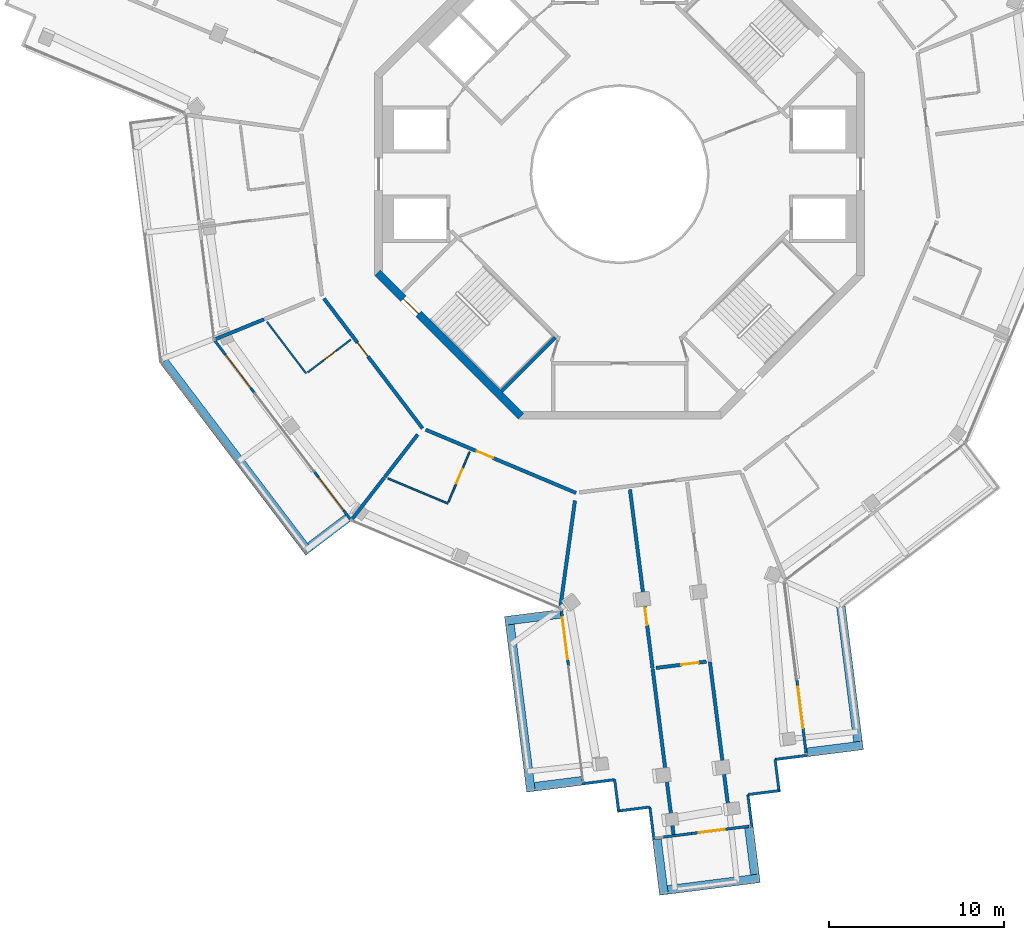
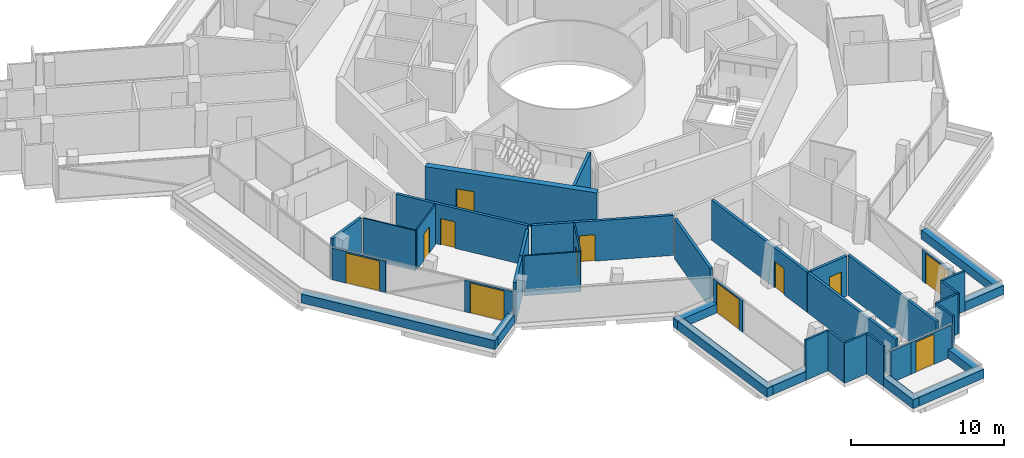
# One storey, part 18 of 26: 40 walls, 12 doors, 12 openings.
"""IFC4 building model written with IfcOpenShell, lengths in metres."""

from ifc_helpers import new_model, si_unit, direction, frame, frame_2d, origin, place, context, subcontext, project, spatial, rectangle, extrude, material, layer, layer_set, type_object, element, fill, save


model = new_model("IFC4")

# Units and contexts
model_context = context("Model", 3, precision=1e-05, world=origin(), true_north=direction((0.0, 1.0)))
body_context = subcontext(model_context, "Body", "Model", "MODEL_VIEW")
ifc_project = project(units=[si_unit("LENGTHUNIT", "METRE"), si_unit("AREAUNIT", "SQUARE_METRE"), si_unit("VOLUMEUNIT", "CUBIC_METRE"), si_unit("PLANEANGLEUNIT", "RADIAN"), si_unit("MASSUNIT", "GRAM", prefix="KILO")], contexts=[model_context])

# Site, building, storey
site_placement = place(None, origin())
site = spatial("IfcSite", under=ifc_project, at=site_placement, CompositionType="ELEMENT")
building_placement = place(site_placement, origin())
building = spatial("IfcBuilding", under=site, at=building_placement, Name="Verdalira Terraces Hotel", CompositionType="ELEMENT")
storey_placement = place(building_placement, frame((0.0, 0.0, 306.5)))
storey = spatial("IfcBuildingStorey", under=building, at=storey_placement, Name="L76", CompositionType="ELEMENT", Elevation=306.5)

# Walls
ifc_material_1 = material(Name="Concrete C40", Category="concrete")
ifc_layer_1 = layer(ifc_material_1, 0.5)
ifc_layer_set_1 = layer_set([ifc_layer_1], Name="Balcony planter trough with tree")
wall_type_1 = type_object("IfcWallType", Name="Balcony planter trough with tree", PredefinedType="SOLIDWALL", material=ifc_layer_set_1)
wall_1_placement = place(storey_placement, frame((-26.039551, -10.696533, 0.0), z_axis=(0.0, 0.0, 1.0), x_axis=(0.604595551, -0.796532623, 0.0)))
element("IfcWall", 1, at=wall_1_placement, inside=storey, type_object=wall_type_1, Name="Balcony planter", PredefinedType="SOLIDWALL", context=body_context, shape_type="SweptSolid", body=[
    extrude(rectangle(XDim=13.723389, YDim=0.5, at=frame_2d((6.861816, 0.0))), origin(), (0.0, 0.0, 1.0), 0.699951),
])
wall_2_placement = place(storey_placement, frame((-17.694336, -21.277344, 0.0), z_axis=(0.0, 0.0, 1.0), x_axis=(0.79653505, 0.604592354, 0.0)))
element("IfcWall", 2, at=wall_2_placement, inside=storey, type_object=wall_type_1, Name="Balcony planter", PredefinedType="SOLIDWALL", context=body_context, shape_type="SweptSolid", body=[
    extrude(rectangle(XDim=2.698975, YDim=0.5, at=frame_2d((1.349609, 0.0))), origin(), (0.0, 0.0, 1.0), 0.699951),
])
wall_3_placement = place(storey_placement, frame((-3.37793, -25.129883, 0.0), z_axis=(0.0, 0.0, 1.0), x_axis=(-0.992117376, -0.125312056, 0.0)))
element("IfcWall", 3, at=wall_3_placement, inside=storey, type_object=wall_type_1, Name="Balcony planter", PredefinedType="SOLIDWALL", context=body_context, shape_type="SweptSolid", body=[
    extrude(rectangle(XDim=3.198975, YDim=0.5, at=frame_2d((1.599609, 0.0))), origin(), (0.0, 0.0, 1.0), 0.699951),
])
wall_4_placement = place(storey_placement, frame((-6.272461, -25.747559, 0.0), z_axis=(0.0, 0.0, 1.0), x_axis=(0.125328117, -0.992115348, 0.0)))
element("IfcWall", 4, at=wall_4_placement, inside=storey, type_object=wall_type_1, Name="Balcony planter", PredefinedType="SOLIDWALL", context=body_context, shape_type="SweptSolid", body=[
    extrude(rectangle(XDim=9.617432, YDim=0.5, at=frame_2d((4.808594, 0.0))), origin(), (0.0, 0.0, 1.0), 0.699951),
])
wall_5_placement = place(storey_placement, frame((-4.850342, -35.009766, 0.0), z_axis=(0.0, 0.0, 1.0), x_axis=(0.992121231, 0.125281538, 0.0)))
element("IfcWall", 5, at=wall_5_placement, inside=storey, type_object=wall_type_1, Name="Balcony planter", PredefinedType="SOLIDWALL", context=body_context, shape_type="SweptSolid", body=[
    extrude(rectangle(XDim=2.698975, YDim=0.5, at=frame_2d((1.349609, 0.0))), origin(), (0.0, 0.0, 1.0), 0.699951),
])
wall_6_placement = place(storey_placement, frame((2.130615, -38.009521, 0.0), z_axis=(0.0, 0.0, 1.0), x_axis=(0.125312056, -0.992117376, 0.0)))
element("IfcWall", 6, at=wall_6_placement, inside=storey, type_object=wall_type_1, Name="Balcony planter", PredefinedType="SOLIDWALL", context=body_context, shape_type="SweptSolid", body=[
    extrude(rectangle(XDim=3.198975, YDim=0.5, at=frame_2d((1.599609, 0.0))), origin(), (0.0, 0.0, 1.0), 0.699951),
])
wall_7_placement = place(storey_placement, frame((2.748291, -40.904053, 0.0), z_axis=(0.0, 0.0, 1.0), x_axis=(0.992114026, 0.125338577, 0.0)))
element("IfcWall", 7, at=wall_7_placement, inside=storey, type_object=wall_type_1, Name="Balcony planter", PredefinedType="SOLIDWALL", context=body_context, shape_type="SweptSolid", body=[
    extrude(rectangle(XDim=5.300049, YDim=0.5, at=frame_2d((2.649902, 0.0))), origin(), (0.0, 0.0, 1.0), 0.699951),
])
wall_8_placement = place(storey_placement, frame((7.727051, -40.022949, 0.0), z_axis=(0.0, 0.0, 1.0), x_axis=(-0.125281538, 0.992121231, 0.0)))
element("IfcWall", 8, at=wall_8_placement, inside=storey, type_object=wall_type_1, Name="Balcony planter", PredefinedType="SOLIDWALL", context=body_context, shape_type="SweptSolid", body=[
    extrude(rectangle(XDim=2.698975, YDim=0.5, at=frame_2d((1.349609, 0.0))), origin(), (0.0, 0.0, 1.0), 0.699951),
])
wall_9_placement = place(storey_placement, frame((10.726807, -33.041992, 0.0), z_axis=(0.0, 0.0, 1.0), x_axis=(0.992117376, 0.125312056, 0.0)))
element("IfcWall", 9, at=wall_9_placement, inside=storey, type_object=wall_type_1, Name="Balcony planter", PredefinedType="SOLIDWALL", context=body_context, shape_type="SweptSolid", body=[
    extrude(rectangle(XDim=3.198975, YDim=0.5, at=frame_2d((1.599609, 0.0))), origin(), (0.0, 0.0, 1.0), 0.699951),
])
wall_10_placement = place(storey_placement, frame((13.621338, -32.424316, 0.0), z_axis=(0.0, 0.0, 1.0), x_axis=(-0.125337869, 0.992114116, 0.0)))
element("IfcWall", 10, at=wall_10_placement, inside=storey, type_object=wall_type_1, Name="Balcony planter", PredefinedType="SOLIDWALL", context=body_context, shape_type="SweptSolid", body=[
    extrude(rectangle(XDim=7.77002, YDim=0.5, at=frame_2d((3.88501, 0.0))), origin(), (0.0, 0.0, 1.0), 0.699951),
])
ifc_material_2 = material(Name="Moisture-resistant gypsum board partition")
ifc_layer_2 = layer(ifc_material_2, 0.10009765625)
ifc_layer_set_2 = layer_set([ifc_layer_2], Name="Bathroom partition 100 mm")
wall_type_2 = type_object("IfcWallType", Name="Bathroom partition 100 mm", PredefinedType="PARTITIONING", material=ifc_layer_set_2)
wall_11_placement = place(storey_placement, frame((-17.91626, -11.391602, 0.0), z_axis=(0.0, 0.0, 1.0), x_axis=(-0.604630261, 0.796506276, 0.0)))
element("IfcWall", 11, at=wall_11_placement, inside=storey, type_object=wall_type_2, Name="Bathroom partition", PredefinedType="PARTITIONING", context=body_context, shape_type="SweptSolid", body=[
    extrude(rectangle(XDim=3.703857, YDim=0.100098, at=frame_2d((1.852051, 0.0))), origin(), (0.0, 0.0, 1.0), 3.189941),
])

# Wall, opening, door
wall_12_placement = place(storey_placement, frame((-17.83667, -11.331299, 0.0), z_axis=(0.0, 0.0, 1.0), x_axis=(0.796527788, 0.604601921, 0.0)))
wall_12 = element("IfcWall", 12, at=wall_12_placement, inside=storey, type_object=wall_type_2, Name="Bathroom partition", PredefinedType="PARTITIONING", context=body_context, shape_type="SweptSolid", body=[
    extrude(rectangle(XDim=3.100098, YDim=0.100098, at=frame_2d((1.550049, 0.0))), origin(), (0.0, 0.0, 1.0), 3.189941),
])
opening_1_placement = place(wall_12_placement, frame((1.149902, 0.0, 0.0)))
opening_1 = element("IfcOpeningElement", 13, at=opening_1_placement, cuts=wall_12, Name="Opening L76-109", PredefinedType="OPENING", context=body_context, shape_type="SweptSolid", body=[
    extrude(rectangle(XDim=0.899902, YDim=2.100098, at=frame_2d((0.449951, 1.050049))), frame((0.0, 0.060059, 0.0), z_axis=(0.0, -1.0, 0.0), x_axis=(1.0, 0.0, 0.0)), (0.0, 0.0, 1.0), 0.120117),
])
ifc_material_3 = material(Name="Timber door", Category="wood")
door_type_1 = type_object("IfcDoorType", Name="Bathroom door 900 x 2100", OperationType="NOTDEFINED", PredefinedType="DOOR", material=ifc_material_3)
door_1_placement = place(opening_1_placement, origin())
door_1 = element("IfcDoor", 14, at=door_1_placement, inside=storey, type_object=door_type_1, Name="Bathroom door 7603", OperationType="SINGLE_SWING_LEFT", OverallHeight=2.10009765625, OverallWidth=0.89990234375, PredefinedType="DOOR", context=body_context, shape_type="SweptSolid", body=[
    extrude(rectangle(XDim=0.899902, YDim=2.100098, at=frame_2d((0.449951, 1.050049))), frame((0.0, 0.024902, 0.0), z_axis=(0.0, -1.0, 0.0), x_axis=(1.0, 0.0, 0.0)), (0.0, 0.0, 1.0), 0.050049),
])
fill(opening_1, door_1)

# Wall
wall_13_placement = place(storey_placement, frame((-9.820068, -18.82373, 0.0), z_axis=(0.0, 0.0, 1.0), x_axis=(-0.921867226, 0.387505893, 0.0)))
element("IfcWall", 15, at=wall_13_placement, inside=storey, type_object=wall_type_2, Name="Bathroom partition", PredefinedType="PARTITIONING", context=body_context, shape_type="SweptSolid", body=[
    extrude(rectangle(XDim=3.703857, YDim=0.100098, at=frame_2d((1.852051, 0.0))), origin(), (0.0, 0.0, 1.0), 3.189941),
])

# Wall, opening, door
wall_14_placement = place(storey_placement, frame((-9.781494, -18.731445, 0.0), z_axis=(0.0, 0.0, 1.0), x_axis=(0.3875605, 0.92184427, 0.0)))
wall_14 = element("IfcWall", 16, at=wall_14_placement, inside=storey, type_object=wall_type_2, Name="Bathroom partition", PredefinedType="PARTITIONING", context=body_context, shape_type="SweptSolid", body=[
    extrude(rectangle(XDim=3.099854, YDim=0.100098, at=frame_2d((1.549805, 0.0))), origin(), (0.0, 0.0, 1.0), 3.189941),
])
opening_2_placement = place(wall_14_placement, frame((1.149902, 0.0, 0.0)))
opening_2 = element("IfcOpeningElement", 17, at=opening_2_placement, cuts=wall_14, Name="Opening L76-111", PredefinedType="OPENING", context=body_context, shape_type="SweptSolid", body=[
    extrude(rectangle(XDim=0.899902, YDim=2.100098, at=frame_2d((0.449951, 1.050049))), frame((0.0, 0.060059, 0.0), z_axis=(0.0, -1.0, 0.0), x_axis=(1.0, 0.0, 0.0)), (0.0, 0.0, 1.0), 0.120117),
])
door_2_placement = place(opening_2_placement, origin())
door_2 = element("IfcDoor", 18, at=door_2_placement, inside=storey, type_object=door_type_1, Name="Bathroom door 7604", OperationType="SINGLE_SWING_LEFT", OverallHeight=2.10009765625, OverallWidth=0.89990234375, PredefinedType="DOOR", context=body_context, shape_type="SweptSolid", body=[
    extrude(rectangle(XDim=0.899902, YDim=2.100098, at=frame_2d((0.449951, 1.050049))), frame((0.0, 0.024902, 0.0), z_axis=(0.0, -1.0, 0.0), x_axis=(1.0, 0.0, 0.0)), (0.0, 0.0, 1.0), 0.050049),
])
fill(opening_2, door_2)

# Wall
ifc_material_4 = material(Name="Concrete C50", Category="concrete")
ifc_layer_3 = layer(ifc_material_4, 0.199951171875)
ifc_layer_set_3 = layer_set([ifc_layer_3], Name="Core RC wall 200 C50")
wall_type_3 = type_object("IfcWallType", Name="Core RC wall 200 C50", PredefinedType="SOLIDWALL", material=ifc_layer_set_3)
wall_15_placement = place(storey_placement, frame((-3.677002, -9.33374, 0.0), z_axis=(0.0, 0.0, 1.0), x_axis=(-0.707106781, -0.707106781, 0.0)))
element("IfcWall", 19, at=wall_15_placement, inside=storey, type_object=wall_type_3, Name="L76 stair ST2 end wall 2", PredefinedType="SOLIDWALL", context=body_context, shape_type="SweptSolid", body=[
    extrude(rectangle(XDim=4.350098, YDim=0.199951, at=frame_2d((2.175049, 0.0))), origin(), (0.0, 0.0, 1.0), 3.189941),
])

# Wall, opening, door
ifc_material_5 = material(Name="Concrete C50", Category="concrete")
ifc_layer_4 = layer(ifc_material_5, 0.449951171875)
ifc_layer_set_4 = layer_set([ifc_layer_4], Name="Core wall 450 C50")
wall_type_4 = type_object("IfcWallType", Name="Core wall 450 C50", PredefinedType="SHEAR", material=ifc_layer_set_4)
wall_16_placement = place(storey_placement, frame((-13.84082, -5.639893, 0.0), z_axis=(0.0, 0.0, 1.0), x_axis=(0.707106781, -0.707106781, 0.0)))
wall_16 = element("IfcWall", 20, at=wall_16_placement, inside=storey, type_object=wall_type_4, Name="Core wall CW-L76-6", PredefinedType="SHEAR", context=body_context, shape_type="SweptSolid", body=[
    extrude(rectangle(XDim=11.5979, YDim=0.449951, at=frame_2d((5.798828, 0.0))), origin(), (0.0, 0.0, 1.0), 3.5),
])
opening_3_placement = place(wall_16_placement, frame((2.099121, 0.0, 0.0)))
opening_3 = element("IfcOpeningElement", 21, at=opening_3_placement, cuts=wall_16, Name="Opening L76-817", PredefinedType="OPENING", context=body_context, shape_type="SweptSolid", body=[
    extrude(rectangle(XDim=1.199951, YDim=2.100098, at=frame_2d((0.600098, 1.050049))), frame((0.0, 0.234863, 0.0), z_axis=(0.0, -1.0, 0.0), x_axis=(1.0, 0.0, 0.0)), (0.0, 0.0, 1.0), 0.469971),
])
ifc_material_6 = material(Name="Steel fire door", Category="steel")
door_type_2 = type_object("IfcDoorType", Name="Stair door 1200 x 2100", OperationType="NOTDEFINED", PredefinedType="DOOR", material=ifc_material_6)
door_3_placement = place(opening_3_placement, origin())
door_3 = element("IfcDoor", 22, at=door_3_placement, inside=storey, type_object=door_type_2, Name="Stair exit door ST2 L76", OperationType="SINGLE_SWING_LEFT", OverallHeight=2.10009765625, OverallWidth=1.199951171875, PredefinedType="DOOR", context=body_context, shape_type="SweptSolid", body=[
    extrude(rectangle(XDim=1.199951, YDim=2.100098, at=frame_2d((0.600098, 1.050049))), frame((0.0, 0.024902, 0.0), z_axis=(0.0, -1.0, 0.0), x_axis=(1.0, 0.0, 0.0)), (0.0, 0.0, 1.0), 0.050049),
])
fill(opening_3, door_3)

# Walls
ifc_material_7 = material(Name="Fire-rated gypsum board wall")
ifc_layer_5 = layer(ifc_material_7, 0.199951171875)
ifc_layer_set_5 = layer_set([ifc_layer_5], Name="Demising wall 200 mm")
wall_type_5 = type_object("IfcWallType", Name="Demising wall 200 mm", PredefinedType="SOLIDWALL", material=ifc_layer_set_5)
wall_17_placement = place(storey_placement, frame((-20.325195, -8.294678, 0.0), z_axis=(0.0, 0.0, 1.0), x_axis=(-0.925893946, -0.377783538, 0.0)))
element("IfcWall", 23, at=wall_17_placement, inside=storey, type_object=wall_type_5, Name="Demising wall", PredefinedType="SOLIDWALL", context=body_context, shape_type="SweptSolid", body=[
    extrude(rectangle(XDim=3.011475, YDim=0.199951, at=frame_2d((1.505859, 0.0))), origin(), (0.0, 0.0, 1.0), 3.189941),
])
wall_18_placement = place(storey_placement, frame((-13.454834, -17.345947, 0.0), z_axis=(0.0, 0.0, 1.0), x_axis=(-0.612918568, -0.79014608, 0.0)))
element("IfcWall", 24, at=wall_18_placement, inside=storey, type_object=wall_type_5, Name="Demising wall", PredefinedType="SOLIDWALL", context=body_context, shape_type="SweptSolid", body=[
    extrude(rectangle(XDim=3.01123, YDim=0.199951, at=frame_2d((1.505615, 0.0))), origin(), (0.0, 0.0, 1.0), 3.189941),
])
wall_19_placement = place(storey_placement, frame((-11.542236, -14.880127, 0.0), z_axis=(0.0, 0.0, 1.0), x_axis=(-0.612879169, -0.790176641, 0.0)))
element("IfcWall", 25, at=wall_19_placement, inside=storey, type_object=wall_type_5, Name="Demising wall", PredefinedType="SOLIDWALL", context=body_context, shape_type="SweptSolid", body=[
    extrude(rectangle(XDim=3.074951, YDim=0.199951, at=frame_2d((1.537598, 0.0))), origin(), (0.0, 0.0, 1.0), 3.189941),
])
wall_20_placement = place(storey_placement, frame((-3.387939, -24.733154, 0.0), z_axis=(0.0, 0.0, 1.0), x_axis=(0.135683489, 0.990752235, 0.0)))
element("IfcWall", 26, at=wall_20_placement, inside=storey, type_object=wall_type_5, Name="Demising wall", PredefinedType="SOLIDWALL", context=body_context, shape_type="SweptSolid", body=[
    extrude(rectangle(XDim=6.13208, YDim=0.199951, at=frame_2d((3.065918, 0.0))), origin(), (0.0, 0.0, 1.0), 3.189941),
])

# Wall, opening, door
wall_21_placement = place(storey_placement, frame((1.881104, -28.247314, 0.0), z_axis=(0.0, 0.0, 1.0), x_axis=(-0.125341325, 0.992113679, 0.0)))
wall_21 = element("IfcWall", 27, at=wall_21_placement, inside=storey, type_object=wall_type_5, Name="Demising wall", PredefinedType="SOLIDWALL", context=body_context, shape_type="SweptSolid", body=[
    extrude(rectangle(XDim=10.302002, YDim=0.199951, at=frame_2d((5.150879, 0.0))), origin(), (0.0, 0.0, 1.0), 3.189941),
])
opening_4_placement = place(wall_21_placement, frame((2.5, 0.0, 0.0)))
opening_4 = element("IfcOpeningElement", 28, at=opening_4_placement, cuts=wall_21, Name="Opening L76-113", PredefinedType="OPENING", context=body_context, shape_type="SweptSolid", body=[
    extrude(rectangle(XDim=1.0, YDim=2.100098, at=frame_2d((0.5, 1.050049))), frame((0.0, 0.109863, 0.0), z_axis=(0.0, -1.0, 0.0), x_axis=(1.0, 0.0, 0.0)), (0.0, 0.0, 1.0), 0.219971),
])
ifc_material_8 = material(Name="Timber fire door", Category="wood")
door_type_3 = type_object("IfcDoorType", Name="Public room door 1000 x 2100", OperationType="NOTDEFINED", PredefinedType="DOOR", material=ifc_material_8)
door_4_placement = place(opening_4_placement, origin())
door_4 = element("IfcDoor", 29, at=door_4_placement, inside=storey, type_object=door_type_3, Name="Public room door 7605", OperationType="SINGLE_SWING_LEFT", OverallHeight=2.10009765625, OverallWidth=1.0, PredefinedType="DOOR", context=body_context, shape_type="SweptSolid", body=[
    extrude(rectangle(XDim=1.0, YDim=2.100098, at=frame_2d((0.5, 1.050049))), frame((0.0, 0.024902, 0.0), z_axis=(0.0, -1.0, 0.0), x_axis=(1.0, 0.0, 0.0)), (0.0, 0.0, 1.0), 0.050049),
])
fill(opening_4, door_4)

# Wall
wall_22_placement = place(storey_placement, frame((1.886719, -28.292969, 0.0), z_axis=(0.0, 0.0, 1.0), x_axis=(0.12533511, -0.992114464, 0.0)))
element("IfcWall", 30, at=wall_22_placement, inside=storey, type_object=wall_type_5, Name="Demising wall", PredefinedType="SOLIDWALL", context=body_context, shape_type="SweptSolid", body=[
    extrude(rectangle(XDim=9.519287, YDim=0.199951, at=frame_2d((4.759766, 0.0))), origin(), (0.0, 0.0, 1.0), 3.189941),
])

# Wall, opening, door
wall_23_placement = place(storey_placement, frame((4.954346, -27.856934, 0.0), z_axis=(0.0, 0.0, 1.0), x_axis=(-0.992112408, -0.125351385, 0.0)))
wall_23 = element("IfcWall", 31, at=wall_23_placement, inside=storey, type_object=wall_type_5, Name="Demising wall", PredefinedType="SOLIDWALL", context=body_context, shape_type="SweptSolid", body=[
    extrude(rectangle(XDim=2.898193, YDim=0.199951, at=frame_2d((1.449219, 0.0))), origin(), (0.0, 0.0, 1.0), 3.189941),
])
opening_5_placement = place(wall_23_placement, frame((0.449951, 0.0, 0.0)))
opening_5 = element("IfcOpeningElement", 32, at=opening_5_placement, cuts=wall_23, Name="Opening L76-115", PredefinedType="OPENING", context=body_context, shape_type="SweptSolid", body=[
    extrude(rectangle(XDim=1.0, YDim=2.100098, at=frame_2d((0.5, 1.050049))), frame((0.0, 0.109863, 0.0), z_axis=(0.0, -1.0, 0.0), x_axis=(1.0, 0.0, 0.0)), (0.0, 0.0, 1.0), 0.219971),
])
door_5_placement = place(opening_5_placement, origin())
door_5 = element("IfcDoor", 33, at=door_5_placement, inside=storey, type_object=door_type_3, Name="Public room door 7605", OperationType="SINGLE_SWING_LEFT", OverallHeight=2.10009765625, OverallWidth=1.0, PredefinedType="DOOR", context=body_context, shape_type="SweptSolid", body=[
    extrude(rectangle(XDim=1.0, YDim=2.100098, at=frame_2d((0.5, 1.050049))), frame((0.0, 0.024902, 0.0), z_axis=(0.0, -1.0, 0.0), x_axis=(1.0, 0.0, 0.0)), (0.0, 0.0, 1.0), 0.050049),
])
fill(opening_5, door_5)

# Wall
wall_24_placement = place(storey_placement, frame((6.351807, -37.324219, 0.0), z_axis=(0.0, 0.0, 1.0), x_axis=(-0.125331921, 0.992114867, 0.0)))
element("IfcWall", 34, at=wall_24_placement, inside=storey, type_object=wall_type_5, Name="Demising wall", PredefinedType="SOLIDWALL", context=body_context, shape_type="SweptSolid", body=[
    extrude(rectangle(XDim=9.519531, YDim=0.199951, at=frame_2d((4.759766, 0.0))), origin(), (0.0, 0.0, 1.0), 3.189941),
])

# Wall, opening, door
ifc_material_9 = material(Name="Fire-rated gypsum board wall")
ifc_layer_6 = layer(ifc_material_9, 0.199951171875)
ifc_layer_set_6 = layer_set([ifc_layer_6], Name="Guest corridor wall 200 mm")
wall_type_6 = type_object("IfcWallType", Name="Guest corridor wall 200 mm", PredefinedType="SOLIDWALL", material=ifc_layer_set_6)
wall_25_placement = place(storey_placement, frame((-11.268311, -14.526855, 0.0), z_axis=(0.0, 0.0, 1.0), x_axis=(-0.604585485, 0.796540263, 0.0)))
wall_25 = element("IfcWall", 35, at=wall_25_placement, inside=storey, type_object=wall_type_6, Name="Guest corridor wall", PredefinedType="SOLIDWALL", context=body_context, shape_type="SweptSolid", body=[
    extrude(rectangle(XDim=9.316406, YDim=0.199951, at=frame_2d((4.658203, 0.0))), origin(), (0.0, 0.0, 1.0), 3.189941),
])
opening_6_placement = place(wall_25_placement, frame((5.149902, 0.0, 0.0)))
opening_6 = element("IfcOpeningElement", 36, at=opening_6_placement, cuts=wall_25, Name="Opening L76-108", PredefinedType="OPENING", context=body_context, shape_type="SweptSolid", body=[
    extrude(rectangle(XDim=1.0, YDim=2.100098, at=frame_2d((0.5, 1.050049))), frame((0.0, 0.109863, 0.0), z_axis=(0.0, -1.0, 0.0), x_axis=(1.0, 0.0, 0.0)), (0.0, 0.0, 1.0), 0.219971),
])
ifc_material_10 = material(Name="Timber fire door", Category="wood")
door_type_4 = type_object("IfcDoorType", Name="Guest entry door 1000 x 2100", OperationType="NOTDEFINED", PredefinedType="DOOR", material=ifc_material_10)
door_6_placement = place(opening_6_placement, origin())
door_6 = element("IfcDoor", 37, at=door_6_placement, inside=storey, type_object=door_type_4, Name="Guest entry door 7603", OperationType="SINGLE_SWING_LEFT", OverallHeight=2.10009765625, OverallWidth=1.0, PredefinedType="DOOR", context=body_context, shape_type="SweptSolid", body=[
    extrude(rectangle(XDim=1.0, YDim=2.100098, at=frame_2d((0.5, 1.050049))), frame((0.0, 0.024902, 0.0), z_axis=(0.0, -1.0, 0.0), x_axis=(1.0, 0.0, 0.0)), (0.0, 0.0, 1.0), 0.050049),
])
fill(opening_6, door_6)

wall_26_placement = place(storey_placement, frame((-2.495117, -18.2146, 0.0), z_axis=(0.0, 0.0, 1.0), x_axis=(-0.921862121, 0.387518038, 0.0)))
wall_26 = element("IfcWall", 38, at=wall_26_placement, inside=storey, type_object=wall_type_6, Name="Guest corridor wall", PredefinedType="SOLIDWALL", context=body_context, shape_type="SweptSolid", body=[
    extrude(rectangle(XDim=9.31665, YDim=0.199951, at=frame_2d((4.658203, 0.0))), origin(), (0.0, 0.0, 1.0), 3.189941),
])
opening_7_placement = place(wall_26_placement, frame((5.149902, 0.0, 0.0)))
opening_7 = element("IfcOpeningElement", 39, at=opening_7_placement, cuts=wall_26, Name="Opening L76-110", PredefinedType="OPENING", context=body_context, shape_type="SweptSolid", body=[
    extrude(rectangle(XDim=1.0, YDim=2.100098, at=frame_2d((0.5, 1.050049))), frame((0.0, 0.109863, 0.0), z_axis=(0.0, -1.0, 0.0), x_axis=(1.0, 0.0, 0.0)), (0.0, 0.0, 1.0), 0.219971),
])
door_7_placement = place(opening_7_placement, origin())
door_7 = element("IfcDoor", 40, at=door_7_placement, inside=storey, type_object=door_type_4, Name="Guest entry door 7604", OperationType="SINGLE_SWING_LEFT", OverallHeight=2.10009765625, OverallWidth=1.0, PredefinedType="DOOR", context=body_context, shape_type="SweptSolid", body=[
    extrude(rectangle(XDim=1.0, YDim=2.100098, at=frame_2d((0.5, 1.050049))), frame((0.0, 0.024902, 0.0), z_axis=(0.0, -1.0, 0.0), x_axis=(1.0, 0.0, 0.0)), (0.0, 0.0, 1.0), 0.050049),
])
fill(opening_7, door_7)

# Walls
ifc_material_11 = material(Name="Terracotta cladding", Category="masonry")
ifc_layer_7 = layer(ifc_material_11, 0.14990234375)
ifc_layer_set_7 = layer_set([ifc_layer_7], Name="Terracotta clad wall 150")
wall_type_7 = type_object("IfcWallType", Name="Terracotta clad wall 150", PredefinedType="SOLIDWALL", material=ifc_layer_set_7)
wall_27_placement = place(storey_placement, frame((-2.149658, -34.844971, 0.0), z_axis=(0.0, 0.0, 1.0), x_axis=(0.992122852, 0.125268695, 0.0)))
element("IfcWall", 41, at=wall_27_placement, inside=storey, type_object=wall_type_7, Name="Terracotta cladding wall", PredefinedType="SOLIDWALL", context=body_context, shape_type="SweptSolid", body=[
    extrude(rectangle(XDim=1.874756, YDim=0.149902, at=frame_2d((0.9375, 0.0))), origin(), (0.0, 0.0, 1.0), 3.189941),
])
wall_28_placement = place(storey_placement, frame((-0.289551, -34.610107, 0.0), z_axis=(0.0, 0.0, 1.0), x_axis=(0.125336829, -0.992114247, 0.0)))
element("IfcWall", 42, at=wall_28_placement, inside=storey, type_object=wall_type_7, Name="Terracotta cladding wall", PredefinedType="SOLIDWALL", context=body_context, shape_type="SweptSolid", body=[
    extrude(rectangle(XDim=1.799805, YDim=0.149902, at=frame_2d((0.899902, 0.0))), origin(), (0.0, 0.0, 1.0), 3.189941),
])
wall_29_placement = place(storey_placement, frame((-0.138184, -36.405273, 0.0), z_axis=(0.0, 0.0, 1.0), x_axis=(0.992106661, 0.125396865, 0.0)))
element("IfcWall", 43, at=wall_29_placement, inside=storey, type_object=wall_type_7, Name="Terracotta cladding wall", PredefinedType="SOLIDWALL", context=body_context, shape_type="SweptSolid", body=[
    extrude(rectangle(XDim=1.875, YDim=0.149902, at=frame_2d((0.9375, 0.0))), origin(), (0.0, 0.0, 1.0), 3.189941),
])
wall_30_placement = place(storey_placement, frame((1.721924, -36.170166, 0.0), z_axis=(0.0, 0.0, 1.0), x_axis=(0.125380667, -0.992108708, 0.0)))
element("IfcWall", 44, at=wall_30_placement, inside=storey, type_object=wall_type_7, Name="Terracotta cladding wall", PredefinedType="SOLIDWALL", context=body_context, shape_type="SweptSolid", body=[
    extrude(rectangle(XDim=1.875244, YDim=0.149902, at=frame_2d((0.9375, 0.0))), origin(), (0.0, 0.0, 1.0), 3.189941),
])
wall_31_placement = place(storey_placement, frame((7.562256, -37.322266, 0.0), z_axis=(0.0, 0.0, 1.0), x_axis=(-0.125268695, 0.992122852, 0.0)))
element("IfcWall", 45, at=wall_31_placement, inside=storey, type_object=wall_type_7, Name="Terracotta cladding wall", PredefinedType="SOLIDWALL", context=body_context, shape_type="SweptSolid", body=[
    extrude(rectangle(XDim=1.874756, YDim=0.149902, at=frame_2d((0.9375, 0.0))), origin(), (0.0, 0.0, 1.0), 3.189941),
])
wall_32_placement = place(storey_placement, frame((7.327393, -35.462158, 0.0), z_axis=(0.0, 0.0, 1.0), x_axis=(0.992116378, 0.125319963, 0.0)))
element("IfcWall", 46, at=wall_32_placement, inside=storey, type_object=wall_type_7, Name="Terracotta cladding wall", PredefinedType="SOLIDWALL", context=body_context, shape_type="SweptSolid", body=[
    extrude(rectangle(XDim=1.800049, YDim=0.149902, at=frame_2d((0.899902, 0.0))), origin(), (0.0, 0.0, 1.0), 3.189941),
])
wall_33_placement = place(storey_placement, frame((9.122559, -35.311035, 0.0), z_axis=(0.0, 0.0, 1.0), x_axis=(-0.125380667, 0.992108708, 0.0)))
element("IfcWall", 47, at=wall_33_placement, inside=storey, type_object=wall_type_7, Name="Terracotta cladding wall", PredefinedType="SOLIDWALL", context=body_context, shape_type="SweptSolid", body=[
    extrude(rectangle(XDim=1.875244, YDim=0.149902, at=frame_2d((0.9375, 0.0))), origin(), (0.0, 0.0, 1.0), 3.189941),
])
wall_34_placement = place(storey_placement, frame((8.887451, -33.450684, 0.0), z_axis=(0.0, 0.0, 1.0), x_axis=(0.992124895, 0.125252513, 0.0)))
element("IfcWall", 48, at=wall_34_placement, inside=storey, type_object=wall_type_7, Name="Terracotta cladding wall", PredefinedType="SOLIDWALL", context=body_context, shape_type="SweptSolid", body=[
    extrude(rectangle(XDim=1.875, YDim=0.149902, at=frame_2d((0.9375, 0.0))), origin(), (0.0, 0.0, 1.0), 3.189941),
])
ifc_material_12 = material(Name="Terracotta cladding", Category="masonry")
ifc_layer_8 = layer(ifc_material_12, 0.14990234375)
ifc_layer_set_8 = layer_set([ifc_layer_8], Name="Terracotta column pier 150")
wall_type_8 = type_object("IfcWallType", Name="Terracotta column pier 150", PredefinedType="SOLIDWALL", material=ifc_layer_set_8)
wall_35_placement = place(storey_placement, frame((2.498047, -37.886475, 0.0), z_axis=(0.0, 0.0, 1.0), x_axis=(0.992111084, 0.125361863, 0.0)))
element("IfcWall", 49, at=wall_35_placement, inside=storey, type_object=wall_type_8, Name="Terracotta column pier", PredefinedType="SOLIDWALL", context=body_context, shape_type="SweptSolid", body=[
    extrude(rectangle(XDim=1.630127, YDim=0.149902, at=frame_2d((0.814941, 0.0))), origin(), (0.0, 0.0, 1.0), 2.524902),
])

# Wall, opening, door
ifc_material_13 = material(Name="Terracotta cladding", Category="masonry")
ifc_layer_9 = layer(ifc_material_13, 0.14990234375)
ifc_layer_set_9 = layer_set([ifc_layer_9], Name="Terracotta door pier 150")
wall_type_9 = type_object("IfcWallType", Name="Terracotta door pier 150", PredefinedType="SOLIDWALL", material=ifc_layer_set_9)
wall_36_placement = place(storey_placement, frame((-23.13208, -9.523682, 0.0), z_axis=(0.0, 0.0, 1.0), x_axis=(0.604631987, -0.796504966, 0.0)))
wall_36 = element("IfcWall", 50, at=wall_36_placement, inside=storey, type_object=wall_type_9, Name="Terracotta door pier", PredefinedType="SOLIDWALL", context=body_context, shape_type="SweptSolid", body=[
    extrude(rectangle(XDim=3.786621, YDim=0.149902, at=frame_2d((1.893311, 0.0))), origin(), (0.0, 0.0, 1.0), 2.524902),
])
opening_8_placement = place(wall_36_placement, frame((0.986572, 0.0, 0.0)))
opening_8 = element("IfcOpeningElement", 51, at=opening_8_placement, cuts=wall_36, Name="Opening L76-B03", PredefinedType="OPENING", context=body_context, shape_type="SweptSolid", body=[
    extrude(rectangle(XDim=2.399902, YDim=2.399902, at=frame_2d((1.199951, 1.199951))), frame((0.0, 0.084961, 0.0), z_axis=(0.0, -1.0, 0.0), x_axis=(1.0, 0.0, 0.0)), (0.0, 0.0, 1.0), 0.169922),
])
ifc_material_14 = material(Name="Clear glass", Category="glass")
door_type_5 = type_object("IfcDoorType", Name="Balcony sliding door 2400x2400", OperationType="NOTDEFINED", PredefinedType="DOOR", material=ifc_material_14)
door_8_placement = place(opening_8_placement, origin())
door_8 = element("IfcDoor", 52, at=door_8_placement, inside=storey, type_object=door_type_5, Name="Balcony sliding door", OperationType="SLIDING_TO_LEFT", OverallHeight=2.39990234375, OverallWidth=2.39990234375, PredefinedType="DOOR", context=body_context, shape_type="SweptSolid", body=[
    extrude(rectangle(XDim=2.399902, YDim=2.399902, at=frame_2d((1.199951, 1.199951))), frame((0.0, 0.024902, 0.0), z_axis=(0.0, -1.0, 0.0), x_axis=(1.0, 0.0, 0.0)), (0.0, 0.0, 1.0), 0.050049),
])
fill(opening_8, door_8)

wall_37_placement = place(storey_placement, frame((-17.465332, -16.989258, 0.0), z_axis=(0.0, 0.0, 1.0), x_axis=(0.604640614, -0.796498417, 0.0)))
wall_37 = element("IfcWall", 53, at=wall_37_placement, inside=storey, type_object=wall_type_9, Name="Terracotta door pier", PredefinedType="SOLIDWALL", context=body_context, shape_type="SweptSolid", body=[
    extrude(rectangle(XDim=3.426758, YDim=0.149902, at=frame_2d((1.713379, 0.0))), origin(), (0.0, 0.0, 1.0), 2.524902),
])
opening_9_placement = place(wall_37_placement, frame((0.399902, 0.0, 0.0)))
opening_9 = element("IfcOpeningElement", 54, at=opening_9_placement, cuts=wall_37, Name="Opening L76-B04", PredefinedType="OPENING", context=body_context, shape_type="SweptSolid", body=[
    extrude(rectangle(XDim=2.399902, YDim=2.399902, at=frame_2d((1.199951, 1.199951))), frame((0.0, 0.084961, 0.0), z_axis=(0.0, -1.0, 0.0), x_axis=(1.0, 0.0, 0.0)), (0.0, 0.0, 1.0), 0.169922),
])
door_9_placement = place(opening_9_placement, origin())
door_9 = element("IfcDoor", 55, at=door_9_placement, inside=storey, type_object=door_type_5, Name="Balcony sliding door", OperationType="SLIDING_TO_RIGHT", OverallHeight=2.39990234375, OverallWidth=2.39990234375, PredefinedType="DOOR", context=body_context, shape_type="SweptSolid", body=[
    extrude(rectangle(XDim=2.399902, YDim=2.399902, at=frame_2d((1.199951, 1.199951))), frame((0.0, 0.024902, 0.0), z_axis=(0.0, -1.0, 0.0), x_axis=(1.0, 0.0, 0.0)), (0.0, 0.0, 1.0), 0.050049),
])
fill(opening_9, door_9)

wall_38_placement = place(storey_placement, frame((-3.325195, -24.94165, 0.0), z_axis=(0.0, 0.0, 1.0), x_axis=(0.125349211, -0.992112683, 0.0)))
wall_38 = element("IfcWall", 56, at=wall_38_placement, inside=storey, type_object=wall_type_9, Name="Terracotta door pier", PredefinedType="SOLIDWALL", context=body_context, shape_type="SweptSolid", body=[
    extrude(rectangle(XDim=3.199951, YDim=0.149902, at=frame_2d((1.600098, 0.0))), origin(), (0.0, 0.0, 1.0), 2.524902),
])
opening_10_placement = place(wall_38_placement, frame((0.399902, 0.0, 0.0)))
opening_10 = element("IfcOpeningElement", 57, at=opening_10_placement, cuts=wall_38, Name="Opening L76-B05", PredefinedType="OPENING", context=body_context, shape_type="SweptSolid", body=[
    extrude(rectangle(XDim=2.399902, YDim=2.399902, at=frame_2d((1.199951, 1.199951))), frame((0.0, 0.084961, 0.0), z_axis=(0.0, -1.0, 0.0), x_axis=(1.0, 0.0, 0.0)), (0.0, 0.0, 1.0), 0.169922),
])
door_10_placement = place(opening_10_placement, origin())
door_10 = element("IfcDoor", 58, at=door_10_placement, inside=storey, type_object=door_type_5, Name="Balcony sliding door", OperationType="SLIDING_TO_LEFT", OverallHeight=2.39990234375, OverallWidth=2.39990234375, PredefinedType="DOOR", context=body_context, shape_type="SweptSolid", body=[
    extrude(rectangle(XDim=2.399902, YDim=2.399902, at=frame_2d((1.199951, 1.199951))), frame((0.0, 0.024902, 0.0), z_axis=(0.0, -1.0, 0.0), x_axis=(1.0, 0.0, 0.0)), (0.0, 0.0, 1.0), 0.050049),
])
fill(opening_10, door_10)

wall_39_placement = place(storey_placement, frame((4.115234, -37.682129, 0.0), z_axis=(0.0, 0.0, 1.0), x_axis=(0.992117053, 0.125314614, 0.0)))
wall_39 = element("IfcWall", 59, at=wall_39_placement, inside=storey, type_object=wall_type_9, Name="Terracotta door pier", PredefinedType="SOLIDWALL", context=body_context, shape_type="SweptSolid", body=[
    extrude(rectangle(XDim=3.310059, YDim=0.149902, at=frame_2d((1.655029, 0.0))), origin(), (0.0, 0.0, 1.0), 2.524902),
])
opening_11_placement = place(wall_39_placement, frame((0.399902, 0.0, 0.0)))
opening_11 = element("IfcOpeningElement", 60, at=opening_11_placement, cuts=wall_39, Name="Opening L76-B06", PredefinedType="OPENING", context=body_context, shape_type="SweptSolid", body=[
    extrude(rectangle(XDim=1.5, YDim=2.399902, at=frame_2d((0.75, 1.199951))), frame((0.0, 0.084961, 0.0), z_axis=(0.0, -1.0, 0.0), x_axis=(1.0, 0.0, 0.0)), (0.0, 0.0, 1.0), 0.169922),
])
ifc_material_15 = material(Name="Clear glass", Category="glass")
door_type_6 = type_object("IfcDoorType", Name="Balcony sliding door 1500x2400", OperationType="NOTDEFINED", PredefinedType="DOOR", material=ifc_material_15)
door_11_placement = place(opening_11_placement, origin())
door_11 = element("IfcDoor", 61, at=door_11_placement, inside=storey, type_object=door_type_6, Name="Balcony sliding door", OperationType="SLIDING_TO_RIGHT", OverallHeight=2.39990234375, OverallWidth=1.5, PredefinedType="DOOR", context=body_context, shape_type="SweptSolid", body=[
    extrude(rectangle(XDim=1.5, YDim=2.399902, at=frame_2d((0.75, 1.199951))), frame((0.0, 0.024902, 0.0), z_axis=(0.0, -1.0, 0.0), x_axis=(1.0, 0.0, 0.0)), (0.0, 0.0, 1.0), 0.050049),
])
fill(opening_11, door_11)

wall_40_placement = place(storey_placement, frame((10.655273, -33.081299, 0.0), z_axis=(0.0, 0.0, 1.0), x_axis=(-0.125357689, 0.992111612, 0.0)))
wall_40 = element("IfcWall", 62, at=wall_40_placement, inside=storey, type_object=wall_type_9, Name="Terracotta door pier", PredefinedType="SOLIDWALL", context=body_context, shape_type="SweptSolid", body=[
    extrude(rectangle(XDim=4.224121, YDim=0.149902, at=frame_2d((2.112061, 0.0))), origin(), (0.0, 0.0, 1.0), 2.524902),
])
opening_12_placement = place(wall_40_placement, frame((1.424316, 0.0, 0.0)))
opening_12 = element("IfcOpeningElement", 63, at=opening_12_placement, cuts=wall_40, Name="Opening L76-B07", PredefinedType="OPENING", context=body_context, shape_type="SweptSolid", body=[
    extrude(rectangle(XDim=2.399902, YDim=2.399902, at=frame_2d((1.199951, 1.199951))), frame((0.0, 0.084961, 0.0), z_axis=(0.0, -1.0, 0.0), x_axis=(1.0, 0.0, 0.0)), (0.0, 0.0, 1.0), 0.169922),
])
door_12_placement = place(opening_12_placement, origin())
door_12 = element("IfcDoor", 64, at=door_12_placement, inside=storey, type_object=door_type_5, Name="Balcony sliding door", OperationType="SLIDING_TO_LEFT", OverallHeight=2.39990234375, OverallWidth=2.39990234375, PredefinedType="DOOR", context=body_context, shape_type="SweptSolid", body=[
    extrude(rectangle(XDim=2.399902, YDim=2.399902, at=frame_2d((1.199951, 1.199951))), frame((0.0, 0.024902, 0.0), z_axis=(0.0, -1.0, 0.0), x_axis=(1.0, 0.0, 0.0)), (0.0, 0.0, 1.0), 0.050049),
])
fill(opening_12, door_12)

save(model, "model.ifc")
